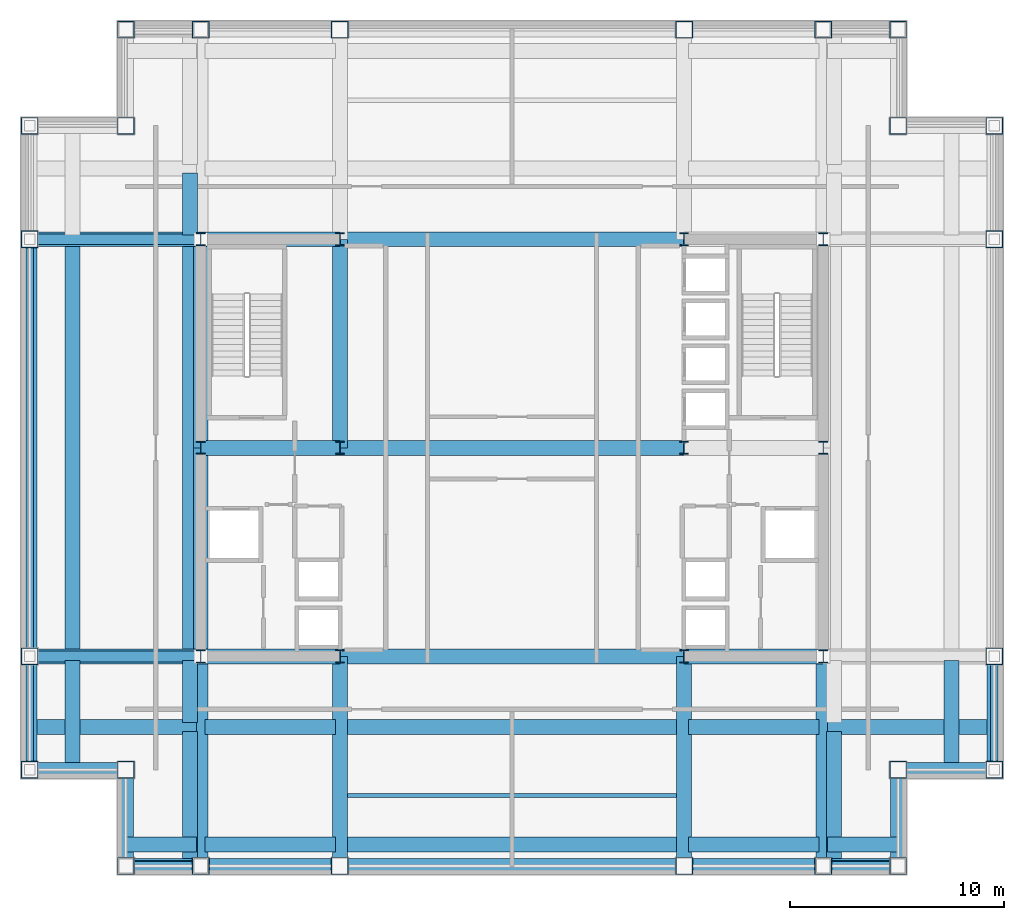
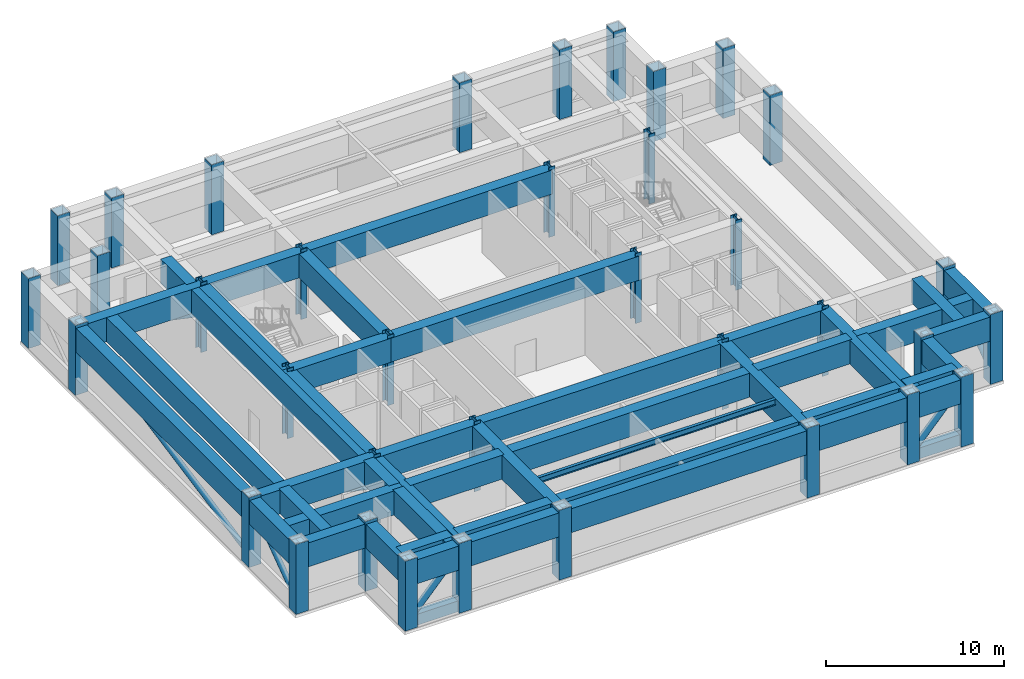
# One storey, part 1 of 9: 47 beams, 36 columns, 9 members.
"""IFC4 building model written with IfcOpenShell, lengths in metres."""

from ifc_helpers import new_model, si_unit, direction, frame, origin, origin_2d, place, context, subcontext, project, spatial, hollow_rectangle, hollow_circle, i_section, extrude, material, material_profile, profile_set, type_object, element, save


model = new_model("IFC4")

# Units and contexts
model_context = context("Model", 3, precision=1e-05, world=origin(), true_north=direction((0.0, 1.0)))
body_context = subcontext(model_context, "Body", "Model", "MODEL_VIEW")
ifc_project = project(units=[si_unit("LENGTHUNIT", "METRE"), si_unit("AREAUNIT", "SQUARE_METRE"), si_unit("VOLUMEUNIT", "CUBIC_METRE"), si_unit("PLANEANGLEUNIT", "RADIAN"), si_unit("MASSUNIT", "GRAM", prefix="KILO")], contexts=[model_context])

# Site, building, storey
site_placement = place(None, origin())
site = spatial("IfcSite", under=ifc_project, at=site_placement, CompositionType="ELEMENT")
building_placement = place(site_placement, origin())
building = spatial("IfcBuilding", under=site, at=building_placement, Name="Brelmoor Portico Tower", CompositionType="ELEMENT")
storey_placement = place(building_placement, frame((0.0, 0.0, 145.800048828125)))
storey = spatial("IfcBuildingStorey", under=building, at=storey_placement, Name="L38", CompositionType="ELEMENT", Elevation=145.800048828125)

# Columns
ifc_material = material(Name="Steel Q355B", Category="steel")
ifc_material_profile_1 = material_profile(ifc_material, hollow_rectangle(XDim=0.800048828125, YDim=0.800048828125, WallThickness=0.035888671875, at=origin_2d()), Name="BOX 800x800x36")
ifc_profile_set_1 = profile_set([ifc_material_profile_1], Name="Steel Q355B")
column_type_1 = type_object("IfcColumnType", Name="COL-MEGA-800", PredefinedType="COLUMN", material=ifc_profile_set_1)
for number, where, z_axis, x_axis, name in (
    (1, (-18.050048828125, -19.550048828125, 0.0), (0.0, 0.0, 1.0), (1.0, 0.0, 0.0), "L38 Perimeter Mega-Column PS01"),
    (2, (-14.550048828125, -19.550048828125, 0.0), (0.0, 0.0, 1.0), (1.0, 0.0, 0.0), "L38 Perimeter Mega-Column PS02"),
    (3, (-8.050048828125, -19.550048828125, 0.0), (0.0, 0.0, 1.0), (1.0, 0.0, 0.0), "L38 Perimeter Mega-Column PS03"),
    (4, (8.050048828125, -19.550048828125, 0.0), (0.0, 0.0, 1.0), (1.0, 0.0, 0.0), "L38 Perimeter Mega-Column PS04"),
    (5, (14.550048828125, -19.550048828125, 0.0), (0.0, 0.0, 1.0), (1.0, 0.0, 0.0), "L38 Perimeter Mega-Column PS05"),
    (6, (18.050048828125, -19.550048828125, 0.0), (0.0, 0.0, 1.0), (1.0, 0.0, 0.0), "L38 Perimeter Mega-Column PS06"),
    (7, (-18.050048828125, 19.550048828125, 0.0), (0.0, 0.0, 1.0), (1.0, 0.0, 0.0), "L38 Perimeter Mega-Column PN01"),
    (8, (-14.550048828125, 19.550048828125, 0.0), (0.0, 0.0, 1.0), (1.0, 0.0, 0.0), "L38 Perimeter Mega-Column PN02"),
    (9, (-8.050048828125, 19.550048828125, 0.0), (0.0, 0.0, 1.0), (1.0, 0.0, 0.0), "L38 Perimeter Mega-Column PN03"),
    (10, (8.050048828125, 19.550048828125, 0.0), (0.0, 0.0, 1.0), (1.0, 0.0, 0.0), "L38 Perimeter Mega-Column PN04"),
    (11, (14.550048828125, 19.550048828125, 0.0), (0.0, 0.0, 1.0), (1.0, 0.0, 0.0), "L38 Perimeter Mega-Column PN05"),
    (12, (18.050048828125, 19.550048828125, 0.0), (0.0, 0.0, 1.0), (1.0, 0.0, 0.0), "L38 Perimeter Mega-Column PN06"),
    (13, (-22.550048828125, -15.050048828125, 0.0), (0.0, 0.0, 1.0), (0.0, 1.0, 0.0), "L38 Perimeter Mega-Column PW01"),
    (14, (-22.550048828125, -9.75, 0.0), (0.0, 0.0, 1.0), (0.0, 1.0, 0.0), "L38 Perimeter Mega-Column PW02"),
    (15, (-22.550048828125, 9.75, 0.0), (0.0, 0.0, 1.0), (0.0, 1.0, 0.0), "L38 Perimeter Mega-Column PW03"),
    (16, (-22.550048828125, 15.050048828125, 0.0), (0.0, 0.0, 1.0), (0.0, 1.0, 0.0), "L38 Perimeter Mega-Column PW04"),
    (17, (22.550048828125, -15.050048828125, 0.0), (0.0, 0.0, 1.0), (0.0, 1.0, 0.0), "L38 Perimeter Mega-Column PE01"),
    (18, (22.550048828125, -9.75, 0.0), (0.0, 0.0, 1.0), (0.0, 1.0, 0.0), "L38 Perimeter Mega-Column PE02"),
    (19, (22.550048828125, 9.75, 0.0), (0.0, 0.0, 1.0), (0.0, 1.0, 0.0), "L38 Perimeter Mega-Column PE03"),
    (20, (22.550048828125, 15.050048828125, 0.0), (0.0, 0.0, 1.0), (0.0, 1.0, 0.0), "L38 Perimeter Mega-Column PE04"),
    (21, (-18.050048828125, 15.050048828125, 0.0), (0.0, 0.0, 1.0), (1.0, 0.0, 0.0), "L38 Perimeter Mega-Column PC-NW"),
    (22, (18.050048828125, 15.050048828125, 0.0), (0.0, 0.0, 1.0), (1.0, 0.0, 0.0), "L38 Perimeter Mega-Column PC-NE"),
    (23, (18.050048828125, -15.050048828125, 0.0), (0.0, 0.0, 1.0), (1.0, 0.0, 0.0), "L38 Perimeter Mega-Column PC-SE"),
    (24, (-18.050048828125, -15.050048828125, 0.0), (0.0, 0.0, 1.0), (1.0, 0.0, 0.0), "L38 Perimeter Mega-Column PC-SW"),
):
    element("IfcColumn", number, at=place(storey_placement, frame(where, z_axis=z_axis, x_axis=x_axis)), inside=storey, type_object=column_type_1, Name=name, PredefinedType="COLUMN", context=body_context, shape_type="SweptSolid", body=[
        extrude(hollow_rectangle(XDim=0.800048828125, YDim=0.800048828125, WallThickness=0.035888671875, at=origin_2d()), origin(), (0.0, 0.0, 1.0), 4.800048828125),
    ])
ifc_material_profile_2 = material_profile(ifc_material, i_section(OverallWidth=0.39990234375, OverallDepth=0.60009765625, WebThickness=0.02197265625, FlangeThickness=0.035888671875, at=origin_2d()), Name="HW 600x400x22x36")
ifc_profile_set_2 = profile_set([ifc_material_profile_2], Name="Steel Q355B")
column_type_2 = type_object("IfcColumnType", Name="COL-SPINE-600", PredefinedType="COLUMN", material=ifc_profile_set_2)
for number, where, z_axis, x_axis, name in (
    (25, (-14.550048828125, -9.75, 0.0), (0.0, 0.0, 1.0), (1.0, 0.0, 0.0), "L38 Core Spine Column CW-SW"),
    (26, (-14.550048828125, 0.0, 0.0), (0.0, 0.0, 1.0), (1.0, 0.0, 0.0), "L38 Core Spine Column CW-MW"),
    (27, (-14.550048828125, 9.75, 0.0), (0.0, 0.0, 1.0), (1.0, 0.0, 0.0), "L38 Core Spine Column CW-NW"),
    (28, (-8.050048828125, -9.75, 0.0), (0.0, 0.0, 1.0), (1.0, 0.0, 0.0), "L38 Core Spine Column CW-SE"),
    (29, (-8.050048828125, 0.0, 0.0), (0.0, 0.0, 1.0), (1.0, 0.0, 0.0), "L38 Core Spine Column CW-ME"),
    (30, (-8.050048828125, 9.75, 0.0), (0.0, 0.0, 1.0), (1.0, 0.0, 0.0), "L38 Core Spine Column CW-NE"),
    (31, (8.050048828125, -9.75, 0.0), (0.0, 0.0, 1.0), (1.0, 0.0, 0.0), "L38 Core Spine Column CE-SW"),
    (32, (8.050048828125, 0.0, 0.0), (0.0, 0.0, 1.0), (1.0, 0.0, 0.0), "L38 Core Spine Column CE-MW"),
    (33, (8.050048828125, 9.75, 0.0), (0.0, 0.0, 1.0), (1.0, 0.0, 0.0), "L38 Core Spine Column CE-NW"),
    (34, (14.550048828125, -9.75, 0.0), (0.0, 0.0, 1.0), (1.0, 0.0, 0.0), "L38 Core Spine Column CE-SE"),
    (35, (14.550048828125, 0.0, 0.0), (0.0, 0.0, 1.0), (1.0, 0.0, 0.0), "L38 Core Spine Column CE-ME"),
    (36, (14.550048828125, 9.75, 0.0), (0.0, 0.0, 1.0), (1.0, 0.0, 0.0), "L38 Core Spine Column CE-NE"),
):
    element("IfcColumn", number, at=place(storey_placement, frame(where, z_axis=z_axis, x_axis=x_axis)), inside=storey, type_object=column_type_2, Name=name, PredefinedType="COLUMN", context=body_context, shape_type="SweptSolid", body=[
        extrude(i_section(OverallWidth=0.39990234375, OverallDepth=0.60009765625, WebThickness=0.02197265625, FlangeThickness=0.035888671875, at=origin_2d()), origin(), (0.0, 0.0, 1.0), 4.800048828125),
    ])

# Beams
ifc_material_profile_3 = material_profile(ifc_material, i_section(OverallWidth=0.199951171875, OverallDepth=0.39990234375, WebThickness=0.008056640625, FlangeThickness=0.012939453125, at=origin_2d()), Name="HN 400x200x8x13")
ifc_profile_set_3 = profile_set([ifc_material_profile_3], Name="Steel Q355B")
beam_type_1 = type_object("IfcBeamType", Name="BM-JS-400", PredefinedType="JOIST", material=ifc_profile_set_3)
beam_1_placement = place(storey_placement, frame((-7.699951171875, -16.25, 4.39990234375), z_axis=(1.0, 0.0, 0.0), x_axis=(0.0, 1.0, 0.0)))
element("IfcBeam", 37, at=beam_1_placement, inside=storey, type_object=beam_type_1, Name="L38 Secondary Composite Joist JS-C01", PredefinedType="JOIST", context=body_context, shape_type="SweptSolid", body=[
    extrude(i_section(OverallWidth=0.199951171875, OverallDepth=0.39990234375, WebThickness=0.008056640625, FlangeThickness=0.012939453125, at=origin_2d()), origin(), (0.0, 0.0, 1.0), 15.39990234375),
])
ifc_material_profile_4 = material_profile(ifc_material, hollow_rectangle(XDim=0.699951171875, YDim=1.64990234375, WallThickness=0.0400390625, at=origin_2d()), Name="BOX 700x1650x40")
ifc_profile_set_4 = profile_set([ifc_material_profile_4], Name="Steel Q355B")
beam_type_2 = type_object("IfcBeamType", Name="BM-TG-Z3", PredefinedType="BEAM", material=ifc_profile_set_4)
beam_2_placement = place(storey_placement, frame((-18.050048828125, -19.550048828125, 3.77490234375), z_axis=(1.0, 0.0, 0.0), x_axis=(0.0, 1.0, 0.0)))
element("IfcBeam", 38, at=beam_2_placement, inside=storey, type_object=beam_type_2, Name="L38 Perimeter Transfer Beam SP-01", PredefinedType="BEAM", context=body_context, shape_type="SweptSolid", body=[
    extrude(hollow_rectangle(XDim=0.699951171875, YDim=1.64990234375, WallThickness=0.0400390625, at=origin_2d()), origin(), (0.0, 0.0, 1.0), 3.5),
])
beam_3_placement = place(storey_placement, frame((-14.550048828125, -19.550048828125, 3.77490234375), z_axis=(1.0, 0.0, 0.0), x_axis=(0.0, 1.0, 0.0)))
element("IfcBeam", 39, at=beam_3_placement, inside=storey, type_object=beam_type_2, Name="L38 Perimeter Transfer Beam SP-02", PredefinedType="BEAM", context=body_context, shape_type="SweptSolid", body=[
    extrude(hollow_rectangle(XDim=0.699951171875, YDim=1.64990234375, WallThickness=0.0400390625, at=origin_2d()), origin(), (0.0, 0.0, 1.0), 6.5),
])
beam_4_placement = place(storey_placement, frame((-8.050048828125, -19.550048828125, 3.77490234375), z_axis=(1.0, 0.0, 0.0), x_axis=(0.0, 1.0, 0.0)))
element("IfcBeam", 40, at=beam_4_placement, inside=storey, type_object=beam_type_2, Name="L38 Perimeter Transfer Beam SP-03", PredefinedType="BEAM", context=body_context, shape_type="SweptSolid", body=[
    extrude(hollow_rectangle(XDim=0.699951171875, YDim=1.64990234375, WallThickness=0.0400390625, at=origin_2d()), origin(), (0.0, 0.0, 1.0), 16.10009765625),
])
beam_5_placement = place(storey_placement, frame((8.050048828125, -19.550048828125, 3.77490234375), z_axis=(1.0, 0.0, 0.0), x_axis=(0.0, 1.0, 0.0)))
element("IfcBeam", 41, at=beam_5_placement, inside=storey, type_object=beam_type_2, Name="L38 Perimeter Transfer Beam SP-04", PredefinedType="BEAM", context=body_context, shape_type="SweptSolid", body=[
    extrude(hollow_rectangle(XDim=0.699951171875, YDim=1.64990234375, WallThickness=0.0400390625, at=origin_2d()), origin(), (0.0, 0.0, 1.0), 6.5),
])
beam_6_placement = place(storey_placement, frame((14.550048828125, -19.550048828125, 3.77490234375), z_axis=(1.0, 0.0, 0.0), x_axis=(0.0, 1.0, 0.0)))
element("IfcBeam", 42, at=beam_6_placement, inside=storey, type_object=beam_type_2, Name="L38 Perimeter Transfer Beam SP-05", PredefinedType="BEAM", context=body_context, shape_type="SweptSolid", body=[
    extrude(hollow_rectangle(XDim=0.699951171875, YDim=1.64990234375, WallThickness=0.0400390625, at=origin_2d()), origin(), (0.0, 0.0, 1.0), 3.5),
])
for number, where, z_axis, x_axis, name in (
    (43, (-22.550048828125, -15.050048828125, 3.77490234375), (1.0, 0.0, 0.0), (0.0, 1.0, 0.0), "L38 Perimeter Transfer Beam SP-06"),
    (44, (18.050048828125, -15.050048828125, 3.77490234375), (1.0, 0.0, 0.0), (0.0, 1.0, 0.0), "L38 Perimeter Transfer Beam SP-07"),
):
    element("IfcBeam", number, at=place(storey_placement, frame(where, z_axis=z_axis, x_axis=x_axis)), inside=storey, type_object=beam_type_2, Name=name, PredefinedType="BEAM", context=body_context, shape_type="SweptSolid", body=[
        extrude(hollow_rectangle(XDim=0.699951171875, YDim=1.64990234375, WallThickness=0.0400390625, at=origin_2d()), origin(), (0.0, 0.0, 1.0), 4.5),
    ])
beam_7_placement = place(storey_placement, frame((-22.550048828125, -15.050048828125, 3.77490234375), z_axis=(0.0, 1.0, 0.0), x_axis=(-1.0, 0.0, 0.0)))
element("IfcBeam", 45, at=beam_7_placement, inside=storey, type_object=beam_type_2, Name="L38 Perimeter Transfer Beam SP-15", PredefinedType="BEAM", context=body_context, shape_type="SweptSolid", body=[
    extrude(hollow_rectangle(XDim=0.699951171875, YDim=1.64990234375, WallThickness=0.0400390625, at=origin_2d()), origin(), (0.0, 0.0, 1.0), 5.300048828125),
])
beam_8_placement = place(storey_placement, frame((-22.550048828125, -9.75, 3.77490234375), z_axis=(0.0, 1.0, 0.0), x_axis=(-1.0, 0.0, 0.0)))
element("IfcBeam", 46, at=beam_8_placement, inside=storey, type_object=beam_type_2, Name="L38 Perimeter Transfer Beam SP-16", PredefinedType="BEAM", context=body_context, shape_type="SweptSolid", body=[
    extrude(hollow_rectangle(XDim=0.699951171875, YDim=1.64990234375, WallThickness=0.0400390625, at=origin_2d()), origin(), (0.0, 0.0, 1.0), 19.5),
])
for number, where, z_axis, x_axis, name in (
    (47, (-18.050048828125, -19.550048828125, 3.77490234375), (0.0, 1.0, 0.0), (-1.0, 0.0, 0.0), "L38 Perimeter Transfer Beam SP-18"),
    (48, (18.050048828125, -19.550048828125, 3.77490234375), (0.0, 1.0, 0.0), (-1.0, 0.0, 0.0), "L38 Perimeter Transfer Beam SP-20"),
):
    element("IfcBeam", number, at=place(storey_placement, frame(where, z_axis=z_axis, x_axis=x_axis)), inside=storey, type_object=beam_type_2, Name=name, PredefinedType="BEAM", context=body_context, shape_type="SweptSolid", body=[
        extrude(hollow_rectangle(XDim=0.699951171875, YDim=1.64990234375, WallThickness=0.0400390625, at=origin_2d()), origin(), (0.0, 0.0, 1.0), 4.5),
    ])
beam_9_placement = place(storey_placement, frame((22.550048828125, -15.050048828125, 3.77490234375), z_axis=(0.0, 1.0, 0.0), x_axis=(-1.0, 0.0, 0.0)))
element("IfcBeam", 49, at=beam_9_placement, inside=storey, type_object=beam_type_2, Name="L38 Perimeter Transfer Beam SP-22", PredefinedType="BEAM", context=body_context, shape_type="SweptSolid", body=[
    extrude(hollow_rectangle(XDim=0.699951171875, YDim=1.64990234375, WallThickness=0.0400390625, at=origin_2d()), origin(), (0.0, 0.0, 1.0), 5.300048828125),
])
beam_10_placement = place(storey_placement, frame((-14.550048828125, -19.550048828125, 3.77490234375), z_axis=(0.0, 1.0, 0.0), x_axis=(-1.0, 0.0, 0.0)))
element("IfcBeam", 50, at=beam_10_placement, inside=storey, type_object=beam_type_2, Name="L38 Setback Transfer Girder PG-01", PredefinedType="BEAM", context=body_context, shape_type="SweptSolid", body=[
    extrude(hollow_rectangle(XDim=0.699951171875, YDim=1.64990234375, WallThickness=0.0400390625, at=origin_2d()), origin(), (0.0, 0.0, 1.0), 9.800048828125),
])
for number, where, z_axis, x_axis, name in (
    (51, (-14.550048828125, -9.75, 3.77490234375), (0.0, 1.0, 0.0), (-1.0, 0.0, 0.0), "L38 Setback Transfer Girder PG-02"),
    (52, (-14.550048828125, 0.0, 3.77490234375), (0.0, 1.0, 0.0), (-1.0, 0.0, 0.0), "L38 Setback Transfer Girder PG-03"),
):
    element("IfcBeam", number, at=place(storey_placement, frame(where, z_axis=z_axis, x_axis=x_axis)), inside=storey, type_object=beam_type_2, Name=name, PredefinedType="BEAM", context=body_context, shape_type="SweptSolid", body=[
        extrude(hollow_rectangle(XDim=0.699951171875, YDim=1.64990234375, WallThickness=0.0400390625, at=origin_2d()), origin(), (0.0, 0.0, 1.0), 9.75),
    ])
beam_11_placement = place(storey_placement, frame((-8.050048828125, -19.550048828125, 3.77490234375), z_axis=(0.0, 1.0, 0.0), x_axis=(-1.0, 0.0, 0.0)))
element("IfcBeam", 53, at=beam_11_placement, inside=storey, type_object=beam_type_2, Name="L38 Setback Transfer Girder PG-05", PredefinedType="BEAM", context=body_context, shape_type="SweptSolid", body=[
    extrude(hollow_rectangle(XDim=0.699951171875, YDim=1.64990234375, WallThickness=0.0400390625, at=origin_2d()), origin(), (0.0, 0.0, 1.0), 9.800048828125),
])
beam_12_placement = place(storey_placement, frame((-8.050048828125, 0.0, 3.77490234375), z_axis=(0.0, 1.0, 0.0), x_axis=(-1.0, 0.0, 0.0)))
element("IfcBeam", 54, at=beam_12_placement, inside=storey, type_object=beam_type_2, Name="L38 Setback Transfer Girder PG-06", PredefinedType="BEAM", context=body_context, shape_type="SweptSolid", body=[
    extrude(hollow_rectangle(XDim=0.699951171875, YDim=1.64990234375, WallThickness=0.0400390625, at=origin_2d()), origin(), (0.0, 0.0, 1.0), 9.75),
])
for number, where, z_axis, x_axis, name in (
    (55, (8.050048828125, -19.550048828125, 3.77490234375), (0.0, 1.0, 0.0), (-1.0, 0.0, 0.0), "L38 Setback Transfer Girder PG-08"),
    (56, (14.550048828125, -19.550048828125, 3.77490234375), (0.0, 1.0, 0.0), (-1.0, 0.0, 0.0), "L38 Setback Transfer Girder PG-10"),
):
    element("IfcBeam", number, at=place(storey_placement, frame(where, z_axis=z_axis, x_axis=x_axis)), inside=storey, type_object=beam_type_2, Name=name, PredefinedType="BEAM", context=body_context, shape_type="SweptSolid", body=[
        extrude(hollow_rectangle(XDim=0.699951171875, YDim=1.64990234375, WallThickness=0.0400390625, at=origin_2d()), origin(), (0.0, 0.0, 1.0), 9.800048828125),
    ])
beam_13_placement = place(storey_placement, frame((-22.550048828125, -9.75, 3.77490234375), z_axis=(1.0, 0.0, 0.0), x_axis=(0.0, 1.0, 0.0)))
element("IfcBeam", 57, at=beam_13_placement, inside=storey, type_object=beam_type_2, Name="L38 Setback Transfer Girder PG-14", PredefinedType="BEAM", context=body_context, shape_type="SweptSolid", body=[
    extrude(hollow_rectangle(XDim=0.699951171875, YDim=1.64990234375, WallThickness=0.0400390625, at=origin_2d()), origin(), (0.0, 0.0, 1.0), 8.0),
])
beam_14_placement = place(storey_placement, frame((-14.550048828125, -9.75, 3.77490234375), z_axis=(1.0, 0.0, 0.0), x_axis=(0.0, 1.0, 0.0)))
element("IfcBeam", 58, at=beam_14_placement, inside=storey, type_object=beam_type_2, Name="L38 Setback Transfer Girder PG-15", PredefinedType="BEAM", context=body_context, shape_type="SweptSolid", body=[
    extrude(hollow_rectangle(XDim=0.699951171875, YDim=1.64990234375, WallThickness=0.0400390625, at=origin_2d()), origin(), (0.0, 0.0, 1.0), 6.5),
])
beam_15_placement = place(storey_placement, frame((-8.050048828125, -9.75, 3.77490234375), z_axis=(1.0, 0.0, 0.0), x_axis=(0.0, 1.0, 0.0)))
element("IfcBeam", 59, at=beam_15_placement, inside=storey, type_object=beam_type_2, Name="L38 Setback Transfer Girder PG-16", PredefinedType="BEAM", context=body_context, shape_type="SweptSolid", body=[
    extrude(hollow_rectangle(XDim=0.699951171875, YDim=1.64990234375, WallThickness=0.0400390625, at=origin_2d()), origin(), (0.0, 0.0, 1.0), 16.10009765625),
])
for number, where, z_axis, x_axis, name in (
    (60, (8.050048828125, -9.75, 3.77490234375), (1.0, 0.0, 0.0), (0.0, 1.0, 0.0), "L38 Setback Transfer Girder PG-17"),
    (61, (-14.550048828125, 0.0, 3.77490234375), (1.0, 0.0, 0.0), (0.0, 1.0, 0.0), "L38 Setback Transfer Girder PG-19"),
):
    element("IfcBeam", number, at=place(storey_placement, frame(where, z_axis=z_axis, x_axis=x_axis)), inside=storey, type_object=beam_type_2, Name=name, PredefinedType="BEAM", context=body_context, shape_type="SweptSolid", body=[
        extrude(hollow_rectangle(XDim=0.699951171875, YDim=1.64990234375, WallThickness=0.0400390625, at=origin_2d()), origin(), (0.0, 0.0, 1.0), 6.5),
    ])
beam_16_placement = place(storey_placement, frame((-8.050048828125, 0.0, 3.77490234375), z_axis=(1.0, 0.0, 0.0), x_axis=(0.0, 1.0, 0.0)))
element("IfcBeam", 62, at=beam_16_placement, inside=storey, type_object=beam_type_2, Name="L38 Setback Transfer Girder PG-20", PredefinedType="BEAM", context=body_context, shape_type="SweptSolid", body=[
    extrude(hollow_rectangle(XDim=0.699951171875, YDim=1.64990234375, WallThickness=0.0400390625, at=origin_2d()), origin(), (0.0, 0.0, 1.0), 16.10009765625),
])
beam_17_placement = place(storey_placement, frame((-22.550048828125, 9.75, 3.77490234375), z_axis=(1.0, 0.0, 0.0), x_axis=(0.0, 1.0, 0.0)))
element("IfcBeam", 63, at=beam_17_placement, inside=storey, type_object=beam_type_2, Name="L38 Setback Transfer Girder PG-22", PredefinedType="BEAM", context=body_context, shape_type="SweptSolid", body=[
    extrude(hollow_rectangle(XDim=0.699951171875, YDim=1.64990234375, WallThickness=0.0400390625, at=origin_2d()), origin(), (0.0, 0.0, 1.0), 8.0),
])
beam_18_placement = place(storey_placement, frame((-14.550048828125, 9.75, 3.77490234375), z_axis=(1.0, 0.0, 0.0), x_axis=(0.0, 1.0, 0.0)))
element("IfcBeam", 64, at=beam_18_placement, inside=storey, type_object=beam_type_2, Name="L38 Setback Transfer Girder PG-23", PredefinedType="BEAM", context=body_context, shape_type="SweptSolid", body=[
    extrude(hollow_rectangle(XDim=0.699951171875, YDim=1.64990234375, WallThickness=0.0400390625, at=origin_2d()), origin(), (0.0, 0.0, 1.0), 6.5),
])
beam_19_placement = place(storey_placement, frame((-8.050048828125, 9.75, 3.77490234375), z_axis=(1.0, 0.0, 0.0), x_axis=(0.0, 1.0, 0.0)))
element("IfcBeam", 65, at=beam_19_placement, inside=storey, type_object=beam_type_2, Name="L38 Setback Transfer Girder PG-24", PredefinedType="BEAM", context=body_context, shape_type="SweptSolid", body=[
    extrude(hollow_rectangle(XDim=0.699951171875, YDim=1.64990234375, WallThickness=0.0400390625, at=origin_2d()), origin(), (0.0, 0.0, 1.0), 16.10009765625),
])
beam_20_placement = place(storey_placement, frame((-18.050048828125, -18.550048828125, 3.77490234375), z_axis=(1.0, 0.0, 0.0), x_axis=(0.0, 1.0, 0.0)))
element("IfcBeam", 66, at=beam_20_placement, inside=storey, type_object=beam_type_2, Name="L38 Setback Transfer Girder TGN-01", PredefinedType="BEAM", context=body_context, shape_type="SweptSolid", body=[
    extrude(hollow_rectangle(XDim=0.699951171875, YDim=1.64990234375, WallThickness=0.0400390625, at=origin_2d()), origin(), (0.0, 0.0, 1.0), 3.300048828125),
])
beam_21_placement = place(storey_placement, frame((-14.35009765625, -18.550048828125, 3.77490234375), z_axis=(1.0, 0.0, 0.0), x_axis=(0.0, 1.0, 0.0)))
element("IfcBeam", 67, at=beam_21_placement, inside=storey, type_object=beam_type_2, Name="L38 Setback Transfer Girder TGN-02", PredefinedType="BEAM", context=body_context, shape_type="SweptSolid", body=[
    extrude(hollow_rectangle(XDim=0.699951171875, YDim=1.64990234375, WallThickness=0.0400390625, at=origin_2d()), origin(), (0.0, 0.0, 1.0), 6.10009765625),
])
beam_22_placement = place(storey_placement, frame((-7.85009765625, -18.550048828125, 3.77490234375), z_axis=(1.0, 0.0, 0.0), x_axis=(0.0, 1.0, 0.0)))
element("IfcBeam", 68, at=beam_22_placement, inside=storey, type_object=beam_type_2, Name="L38 Setback Transfer Girder TGN-03", PredefinedType="BEAM", context=body_context, shape_type="SweptSolid", body=[
    extrude(hollow_rectangle(XDim=0.699951171875, YDim=1.64990234375, WallThickness=0.0400390625, at=origin_2d()), origin(), (0.0, 0.0, 1.0), 15.7001953125),
])
beam_23_placement = place(storey_placement, frame((8.25, -18.550048828125, 3.77490234375), z_axis=(1.0, 0.0, 0.0), x_axis=(0.0, 1.0, 0.0)))
element("IfcBeam", 69, at=beam_23_placement, inside=storey, type_object=beam_type_2, Name="L38 Setback Transfer Girder TGN-04", PredefinedType="BEAM", context=body_context, shape_type="SweptSolid", body=[
    extrude(hollow_rectangle(XDim=0.699951171875, YDim=1.64990234375, WallThickness=0.0400390625, at=origin_2d()), origin(), (0.0, 0.0, 1.0), 6.10009765625),
])
beam_24_placement = place(storey_placement, frame((14.75, -18.550048828125, 3.77490234375), z_axis=(1.0, 0.0, 0.0), x_axis=(0.0, 1.0, 0.0)))
element("IfcBeam", 70, at=beam_24_placement, inside=storey, type_object=beam_type_2, Name="L38 Setback Transfer Girder TGN-05", PredefinedType="BEAM", context=body_context, shape_type="SweptSolid", body=[
    extrude(hollow_rectangle(XDim=0.699951171875, YDim=1.64990234375, WallThickness=0.0400390625, at=origin_2d()), origin(), (0.0, 0.0, 1.0), 3.300048828125),
])
beam_25_placement = place(storey_placement, frame((-22.550048828125, -13.050048828125, 3.77490234375), z_axis=(1.0, 0.0, 0.0), x_axis=(0.0, 1.0, 0.0)))
element("IfcBeam", 71, at=beam_25_placement, inside=storey, type_object=beam_type_2, Name="L38 Setback Transfer Girder TGN-11", PredefinedType="BEAM", context=body_context, shape_type="SweptSolid", body=[
    extrude(hollow_rectangle(XDim=0.699951171875, YDim=1.64990234375, WallThickness=0.0400390625, at=origin_2d()), origin(), (0.0, 0.0, 1.0), 7.800048828125),
])
beam_26_placement = place(storey_placement, frame((-14.35009765625, -13.050048828125, 3.77490234375), z_axis=(1.0, 0.0, 0.0), x_axis=(0.0, 1.0, 0.0)))
element("IfcBeam", 72, at=beam_26_placement, inside=storey, type_object=beam_type_2, Name="L38 Setback Transfer Girder TGN-12", PredefinedType="BEAM", context=body_context, shape_type="SweptSolid", body=[
    extrude(hollow_rectangle(XDim=0.699951171875, YDim=1.64990234375, WallThickness=0.0400390625, at=origin_2d()), origin(), (0.0, 0.0, 1.0), 6.10009765625),
])
beam_27_placement = place(storey_placement, frame((-7.85009765625, -13.050048828125, 3.77490234375), z_axis=(1.0, 0.0, 0.0), x_axis=(0.0, 1.0, 0.0)))
element("IfcBeam", 73, at=beam_27_placement, inside=storey, type_object=beam_type_2, Name="L38 Setback Transfer Girder TGN-13", PredefinedType="BEAM", context=body_context, shape_type="SweptSolid", body=[
    extrude(hollow_rectangle(XDim=0.699951171875, YDim=1.64990234375, WallThickness=0.0400390625, at=origin_2d()), origin(), (0.0, 0.0, 1.0), 15.7001953125),
])
beam_28_placement = place(storey_placement, frame((8.25, -13.050048828125, 3.77490234375), z_axis=(1.0, 0.0, 0.0), x_axis=(0.0, 1.0, 0.0)))
element("IfcBeam", 74, at=beam_28_placement, inside=storey, type_object=beam_type_2, Name="L38 Setback Transfer Girder TGN-14", PredefinedType="BEAM", context=body_context, shape_type="SweptSolid", body=[
    extrude(hollow_rectangle(XDim=0.699951171875, YDim=1.64990234375, WallThickness=0.0400390625, at=origin_2d()), origin(), (0.0, 0.0, 1.0), 6.10009765625),
])
beam_29_placement = place(storey_placement, frame((14.75, -13.050048828125, 3.77490234375), z_axis=(1.0, 0.0, 0.0), x_axis=(0.0, 1.0, 0.0)))
element("IfcBeam", 75, at=beam_29_placement, inside=storey, type_object=beam_type_2, Name="L38 Setback Transfer Girder TGN-15", PredefinedType="BEAM", context=body_context, shape_type="SweptSolid", body=[
    extrude(hollow_rectangle(XDim=0.699951171875, YDim=1.64990234375, WallThickness=0.0400390625, at=origin_2d()), origin(), (0.0, 0.0, 1.0), 7.800048828125),
])
beam_30_placement = place(storey_placement, frame((-15.050048828125, -19.550048828125, 3.77490234375), z_axis=(0.0, 1.0, 0.0), x_axis=(-1.0, 0.0, 0.0)))
element("IfcBeam", 76, at=beam_30_placement, inside=storey, type_object=beam_type_2, Name="L38 Setback Transfer Girder TGN-21", PredefinedType="BEAM", context=body_context, shape_type="SweptSolid", body=[
    extrude(hollow_rectangle(XDim=0.699951171875, YDim=1.64990234375, WallThickness=0.0400390625, at=origin_2d()), origin(), (0.0, 0.0, 1.0), 6.300048828125),
])
beam_31_placement = place(storey_placement, frame((-15.050048828125, -12.85009765625, 3.77490234375), z_axis=(0.0, 1.0, 0.0), x_axis=(-1.0, 0.0, 0.0)))
element("IfcBeam", 77, at=beam_31_placement, inside=storey, type_object=beam_type_2, Name="L38 Setback Transfer Girder TGN-22", PredefinedType="BEAM", context=body_context, shape_type="SweptSolid", body=[
    extrude(hollow_rectangle(XDim=0.699951171875, YDim=1.64990234375, WallThickness=0.0400390625, at=origin_2d()), origin(), (0.0, 0.0, 1.0), 2.900146484375),
])
beam_32_placement = place(storey_placement, frame((-15.050048828125, -9.550048828125, 3.77490234375), z_axis=(0.0, 1.0, 0.0), x_axis=(-1.0, 0.0, 0.0)))
element("IfcBeam", 78, at=beam_32_placement, inside=storey, type_object=beam_type_2, Name="L38 Setback Transfer Girder TGN-23", PredefinedType="BEAM", context=body_context, shape_type="SweptSolid", body=[
    extrude(hollow_rectangle(XDim=0.699951171875, YDim=1.64990234375, WallThickness=0.0400390625, at=origin_2d()), origin(), (0.0, 0.0, 1.0), 19.10009765625),
])
beam_33_placement = place(storey_placement, frame((-15.050048828125, 9.949951171875, 3.77490234375), z_axis=(0.0, 1.0, 0.0), x_axis=(-1.0, 0.0, 0.0)))
element("IfcBeam", 79, at=beam_33_placement, inside=storey, type_object=beam_type_2, Name="L38 Setback Transfer Girder TGN-24", PredefinedType="BEAM", context=body_context, shape_type="SweptSolid", body=[
    extrude(hollow_rectangle(XDim=0.699951171875, YDim=1.64990234375, WallThickness=0.0400390625, at=origin_2d()), origin(), (0.0, 0.0, 1.0), 2.900146484375),
])
beam_34_placement = place(storey_placement, frame((15.050048828125, -19.550048828125, 3.77490234375), z_axis=(0.0, 1.0, 0.0), x_axis=(-1.0, 0.0, 0.0)))
element("IfcBeam", 80, at=beam_34_placement, inside=storey, type_object=beam_type_2, Name="L38 Setback Transfer Girder TGN-26", PredefinedType="BEAM", context=body_context, shape_type="SweptSolid", body=[
    extrude(hollow_rectangle(XDim=0.699951171875, YDim=1.64990234375, WallThickness=0.0400390625, at=origin_2d()), origin(), (0.0, 0.0, 1.0), 6.300048828125),
])
beam_35_placement = place(storey_placement, frame((-20.550048828125, -15.050048828125, 3.77490234375), z_axis=(0.0, 1.0, 0.0), x_axis=(-1.0, 0.0, 0.0)))
element("IfcBeam", 81, at=beam_35_placement, inside=storey, type_object=beam_type_2, Name="L38 Setback Transfer Girder TGN-31", PredefinedType="BEAM", context=body_context, shape_type="SweptSolid", body=[
    extrude(hollow_rectangle(XDim=0.699951171875, YDim=1.64990234375, WallThickness=0.0400390625, at=origin_2d()), origin(), (0.0, 0.0, 1.0), 5.10009765625),
])
beam_36_placement = place(storey_placement, frame((-20.550048828125, -9.550048828125, 3.77490234375), z_axis=(0.0, 1.0, 0.0), x_axis=(-1.0, 0.0, 0.0)))
element("IfcBeam", 82, at=beam_36_placement, inside=storey, type_object=beam_type_2, Name="L38 Setback Transfer Girder TGN-32", PredefinedType="BEAM", context=body_context, shape_type="SweptSolid", body=[
    extrude(hollow_rectangle(XDim=0.699951171875, YDim=1.64990234375, WallThickness=0.0400390625, at=origin_2d()), origin(), (0.0, 0.0, 1.0), 19.10009765625),
])
beam_37_placement = place(storey_placement, frame((20.550048828125, -15.050048828125, 3.77490234375), z_axis=(0.0, 1.0, 0.0), x_axis=(-1.0, 0.0, 0.0)))
element("IfcBeam", 83, at=beam_37_placement, inside=storey, type_object=beam_type_2, Name="L38 Setback Transfer Girder TGN-34", PredefinedType="BEAM", context=body_context, shape_type="SweptSolid", body=[
    extrude(hollow_rectangle(XDim=0.699951171875, YDim=1.64990234375, WallThickness=0.0400390625, at=origin_2d()), origin(), (0.0, 0.0, 1.0), 5.10009765625),
])

# Members
ifc_material_profile_5 = material_profile(ifc_material, hollow_rectangle(XDim=0.5, YDim=0.75, WallThickness=0.030029296875, at=origin_2d()), Name="RHS 500x750x30")
ifc_profile_set_5 = profile_set([ifc_material_profile_5], Name="Steel Q355B")
member_type_1 = type_object("IfcMemberType", Name="MB-BELT-CHORD", PredefinedType="CHORD", material=ifc_profile_set_5)
for number, where, z_axis, x_axis, name in (
    (84, (-18.050048828125, -19.550048828125, 0.39990234375), (1.0, 0.0, 0.0), (0.0, 1.0, 0.0), "L38 Belt Truss Bottom Chord BC-01"),
    (85, (14.550048828125, -19.550048828125, 0.39990234375), (1.0, 0.0, 0.0), (0.0, 1.0, 0.0), "L38 Belt Truss Bottom Chord BC-02"),
):
    element("IfcMember", number, at=place(storey_placement, frame(where, z_axis=z_axis, x_axis=x_axis)), inside=storey, type_object=member_type_1, Name=name, PredefinedType="CHORD", context=body_context, shape_type="SweptSolid", body=[
        extrude(hollow_rectangle(XDim=0.5, YDim=0.75, WallThickness=0.030029296875, at=origin_2d()), origin(), (0.0, 0.0, 1.0), 3.5),
    ])
ifc_material_profile_6 = material_profile(ifc_material, hollow_circle(Radius=0.212890625, WallThickness=0.02001953125, at=origin_2d()), Name="CHS 426x20")
ifc_profile_set_6 = profile_set([ifc_material_profile_6], Name="Steel Q355B")
member_type_2 = type_object("IfcMemberType", Name="MB-BELT-DIAG1", PredefinedType="BRACE", material=ifc_profile_set_6)
for number, where, z_axis, x_axis, name in (
    (86, (-18.050048828125, -19.550048828125, 0.39990234375), (0.67266345215, 0.0, 0.739948565876), (0.0, 1.0, 0.0), "L38 Belt Truss Diagonal BT-01A"),
    (87, (14.550048828125, -19.550048828125, 0.39990234375), (0.67266345215, 0.0, 0.739948565876), (0.0, 1.0, 0.0), "L38 Belt Truss Diagonal BT-02A"),
):
    element("IfcMember", number, at=place(storey_placement, frame(where, z_axis=z_axis, x_axis=x_axis)), inside=storey, type_object=member_type_2, Name=name, PredefinedType="BRACE", context=body_context, shape_type="SweptSolid", body=[
        extrude(hollow_circle(Radius=0.212890625, WallThickness=0.02001953125, at=origin_2d()), origin(), (0.0, 0.0, 1.0), 5.203125),
    ])
ifc_material_profile_7 = material_profile(ifc_material, hollow_circle(Radius=0.177978515625, WallThickness=0.01611328125, at=origin_2d()), Name="CHS 356x16")
ifc_profile_set_7 = profile_set([ifc_material_profile_7], Name="Steel Q355B")
member_type_3 = type_object("IfcMemberType", Name="MB-BELT-DIAG2", PredefinedType="BRACE", material=ifc_profile_set_7)
member_1_placement = place(storey_placement, frame((-22.550048828125, -15.050048828125, 0.39990234375), z_axis=(0.0, 0.809061505665, 0.587723982879), x_axis=(-1.0, 0.0, 0.0)))
element("IfcMember", 88, at=member_1_placement, inside=storey, type_object=member_type_3, Name="L38 Belt Truss Diagonal BT-05B", PredefinedType="BRACE", context=body_context, shape_type="SweptSolid", body=[
    extrude(hollow_circle(Radius=0.177978515625, WallThickness=0.01611328125, at=origin_2d()), origin(), (0.0, 0.0, 1.0), 6.55078125),
])
member_2_placement = place(storey_placement, frame((-22.550048828125, -9.75, 0.39990234375), z_axis=(0.0, 0.98106051694, 0.193701476765), x_axis=(-1.0, 0.0, 0.0)))
element("IfcMember", 89, at=member_2_placement, inside=storey, type_object=member_type_3, Name="L38 Belt Truss Diagonal BT-06B", PredefinedType="BRACE", context=body_context, shape_type="SweptSolid", body=[
    extrude(hollow_circle(Radius=0.177978515625, WallThickness=0.01611328125, at=origin_2d()), origin(), (0.0, 0.0, 1.0), 19.87646484375),
])
member_3_placement = place(storey_placement, frame((22.550048828125, -15.050048828125, 0.39990234375), z_axis=(0.0, 0.809061505665, 0.587723982879), x_axis=(-1.0, 0.0, 0.0)))
element("IfcMember", 90, at=member_3_placement, inside=storey, type_object=member_type_3, Name="L38 Belt Truss Diagonal BT-08B", PredefinedType="BRACE", context=body_context, shape_type="SweptSolid", body=[
    extrude(hollow_circle(Radius=0.177978515625, WallThickness=0.01611328125, at=origin_2d()), origin(), (0.0, 0.0, 1.0), 6.55078125),
])
ifc_material_profile_8 = material_profile(ifc_material, hollow_circle(Radius=0.25390625, WallThickness=0.02490234375, at=origin_2d()), Name="CHS 508x25")
ifc_profile_set_8 = profile_set([ifc_material_profile_8], Name="Steel Q355B")
member_type_4 = type_object("IfcMemberType", Name="MB-OUTRIGGER-1", PredefinedType="BRACE", material=ifc_profile_set_8)
for number, where, z_axis, x_axis, name in (
    (91, (-14.550048828125, -9.75, 2.550048828125), (-0.978160064759, 0.0, 0.207853043546), (0.0, -1.0, 0.0), "L38 Outrigger Truss Diagonal OT-01"),
    (92, (-14.550048828125, 9.75, 2.550048828125), (-0.978160064759, 0.0, 0.207853043546), (0.0, -1.0, 0.0), "L38 Outrigger Truss Diagonal OT-03"),
):
    element("IfcMember", number, at=place(storey_placement, frame(where, z_axis=z_axis, x_axis=x_axis)), inside=storey, type_object=member_type_4, Name=name, PredefinedType="BRACE", context=body_context, shape_type="SweptSolid", body=[
        extrude(hollow_circle(Radius=0.25390625, WallThickness=0.02490234375, at=origin_2d()), origin(), (0.0, 0.0, 1.0), 8.1787109375),
    ])

save(model, "model.ifc")
